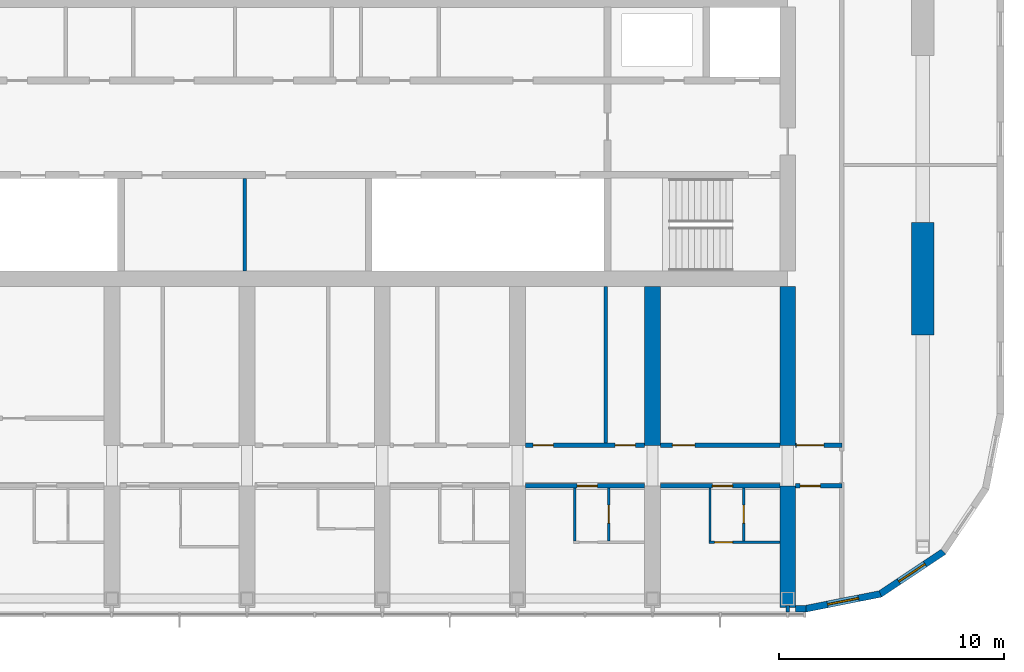
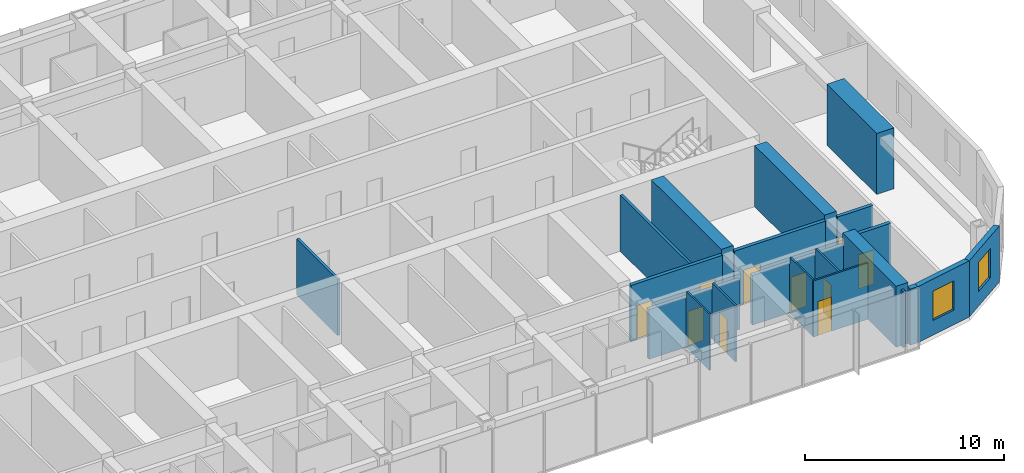
# One storey, part 13 of 23: 21 walls, 10 doors, 2 windows, 12 openings.
"""IFC4 building model written with IfcOpenShell, lengths in metres."""

from ifc_helpers import new_model, si_unit, direction, frame, frame_2d, origin, place, context, subcontext, project, spatial, polyline, rectangle, outline, extrude, material, layer, layer_set, type_object, element, fill, save


model = new_model("IFC4")

# Units and contexts
model_context = context("Model", 3, precision=1e-05, world=origin(), true_north=direction((0.0, 1.0)))
body_context = subcontext(model_context, "Body", "Model", "MODEL_VIEW")
ifc_project = project(units=[si_unit("LENGTHUNIT", "METRE"), si_unit("AREAUNIT", "SQUARE_METRE"), si_unit("VOLUMEUNIT", "CUBIC_METRE"), si_unit("PLANEANGLEUNIT", "RADIAN"), si_unit("MASSUNIT", "GRAM", prefix="KILO")], contexts=[model_context])

# Site, building, storey
site_placement = place(None, origin())
site = spatial("IfcSite", under=ifc_project, at=site_placement, CompositionType="ELEMENT")
building_placement = place(site_placement, origin())
building = spatial("IfcBuilding", under=site, at=building_placement, Name="Orbita Commons", CompositionType="ELEMENT")
storey_placement = place(building_placement, frame((0.0, 0.0, 254.050048828125)))
storey = spatial("IfcBuildingStorey", under=building, at=storey_placement, Name="L63", CompositionType="ELEMENT", Elevation=254.050048828125)

# Wall
ifc_material_1 = material(Name="Concrete blockwork", Category="masonry")
ifc_layer_1 = layer(ifc_material_1, 0.14990234375)
ifc_layer_set_1 = layer_set([ifc_layer_1], Name="Concrete blockwork")
wall_type_1 = type_object("IfcWallType", Name="Core partition 150 blockwork", PredefinedType="SOLIDWALL", material=ifc_layer_set_1)
wall_1_placement = place(storey_placement, frame((41.89990234375, 26.14990234375, 0.0), z_axis=(0.0, 0.0, 1.0), x_axis=(0.0, 1.0, 0.0)))
element("IfcWall", 1, at=wall_1_placement, inside=storey, type_object=wall_type_1, Name="Core partition 150 blockwork L63", PredefinedType="SOLIDWALL", context=body_context, shape_type="SweptSolid", body=[
    extrude(rectangle(XDim=4.10009765625, YDim=0.14990234375, at=frame_2d((2.050048828125, 0.0))), origin(), (0.0, 0.0, 1.0), 3.449951171875),
])

# Wall, opening, door
ifc_material_2 = material(Name="Concrete blockwork", Category="masonry")
ifc_layer_2 = layer(ifc_material_2, 0.199951171875)
ifc_layer_set_2 = layer_set([ifc_layer_2], Name="Concrete blockwork")
wall_type_2 = type_object("IfcWallType", Name="Corridor wall 200 blockwork", PredefinedType="SOLIDWALL", material=ifc_layer_set_2)
wall_2_placement = place(storey_placement, frame((54.35009765625, 16.60009765625, 0.0), z_axis=(0.0, 0.0, 1.0), x_axis=(1.0, 0.0, 0.0)))
wall_2 = element("IfcWall", 2, at=wall_2_placement, inside=storey, type_object=wall_type_2, Name="Corridor wall 200 blockwork L63", PredefinedType="SOLIDWALL", context=body_context, shape_type="SweptSolid", body=[
    extrude(outline(polyline([(0.0, 0.0), (5.2998046875, 0.0), (5.300048828125, 3.050048828125), (0.0, 3.050048828125), (0.0, 0.0)])), frame((0.0, 0.10009765625, 0.0), z_axis=(0.0, -1.0, 0.0), x_axis=(1.0, 0.0, 0.0)), (0.0, 0.0, 1.0), 0.199951171875),
])
opening_1_placement = place(wall_2_placement, frame((2.300048828125, 0.0, 0.0)))
opening_1 = element("IfcOpeningElement", 3, at=opening_1_placement, cuts=wall_2, Name="Opening D11", PredefinedType="OPENING", context=body_context, shape_type="SweptSolid", body=[
    extrude(rectangle(XDim=0.89990234375, YDim=2.10009765625, at=frame_2d((0.449951171875, 1.050048828125))), frame((0.0, 0.10986328125, 0.0), z_axis=(0.0, -1.0, 0.0), x_axis=(1.0, 0.0, 0.0)), (0.0, 0.0, 1.0), 0.219970703125),
])
ifc_material_3 = material(Name="Steel-faced fire door leaf", Category="steel")
door_type_1 = type_object("IfcDoorType", Name="Corridor door 20 min 900x2100", OperationType="SINGLE_SWING_LEFT", PredefinedType="DOOR", material=ifc_material_3)
door_1_placement = place(opening_1_placement, origin())
door_1 = element("IfcDoor", 4, at=door_1_placement, inside=storey, type_object=door_type_1, Name="Studio flat L63-S12 entrance door", OperationType="SINGLE_SWING_LEFT", OverallHeight=2.10009765625, OverallWidth=0.89990234375, PredefinedType="DOOR", context=body_context, shape_type="SweptSolid", body=[
    extrude(rectangle(XDim=0.89990234375, YDim=2.10009765625, at=frame_2d((0.449951171875, 1.050048828125))), frame((0.0, 0.02490234375, 0.0), z_axis=(0.0, -1.0, 0.0), x_axis=(1.0, 0.0, 0.0)), (0.0, 0.0, 1.0), 0.050048828125),
])
fill(opening_1, door_1)

wall_3_placement = place(storey_placement, frame((60.35009765625, 16.60009765625, 0.0), z_axis=(0.0, 0.0, 1.0), x_axis=(1.0, 0.0, 0.0)))
wall_3 = element("IfcWall", 5, at=wall_3_placement, inside=storey, type_object=wall_type_2, Name="Corridor wall 200 blockwork L63", PredefinedType="SOLIDWALL", context=body_context, shape_type="SweptSolid", body=[
    extrude(outline(polyline([(0.0, 0.0), (5.2998046875, 0.0), (5.300048828125, 3.050048828125), (0.0, 3.050048828125), (0.0, 0.0)])), frame((0.0, 0.10009765625, 0.0), z_axis=(0.0, -1.0, 0.0), x_axis=(1.0, 0.0, 0.0)), (0.0, 0.0, 1.0), 0.199951171875),
])
opening_2_placement = place(wall_3_placement, frame((2.300048828125, 0.0, 0.0)))
opening_2 = element("IfcOpeningElement", 6, at=opening_2_placement, cuts=wall_3, Name="Opening D11", PredefinedType="OPENING", context=body_context, shape_type="SweptSolid", body=[
    extrude(rectangle(XDim=0.89990234375, YDim=2.10009765625, at=frame_2d((0.449951171875, 1.050048828125))), frame((0.0, 0.10986328125, 0.0), z_axis=(0.0, -1.0, 0.0), x_axis=(1.0, 0.0, 0.0)), (0.0, 0.0, 1.0), 0.219970703125),
])
door_2_placement = place(opening_2_placement, origin())
door_2 = element("IfcDoor", 7, at=door_2_placement, inside=storey, type_object=door_type_1, Name="Studio flat L63-S14 entrance door", OperationType="SINGLE_SWING_LEFT", OverallHeight=2.10009765625, OverallWidth=0.89990234375, PredefinedType="DOOR", context=body_context, shape_type="SweptSolid", body=[
    extrude(rectangle(XDim=0.89990234375, YDim=2.10009765625, at=frame_2d((0.449951171875, 1.050048828125))), frame((0.0, 0.02490234375, 0.0), z_axis=(0.0, -1.0, 0.0), x_axis=(1.0, 0.0, 0.0)), (0.0, 0.0, 1.0), 0.050048828125),
])
fill(opening_2, door_2)

wall_4_placement = place(storey_placement, frame((66.35009765625, 16.60009765625, 0.0), z_axis=(0.0, 0.0, 1.0), x_axis=(1.0, 0.0, 0.0)))
wall_4 = element("IfcWall", 8, at=wall_4_placement, inside=storey, type_object=wall_type_2, Name="Corridor wall 200 blockwork L63", PredefinedType="SOLIDWALL", context=body_context, shape_type="SweptSolid", body=[
    extrude(rectangle(XDim=2.0498046875, YDim=0.199951171875, at=frame_2d((1.02490234375, 0.0))), origin(), (0.0, 0.0, 1.0), 3.449951171875),
])
opening_3_placement = place(wall_4_placement, frame((0.199951171875, 0.0, 0.0)))
opening_3 = element("IfcOpeningElement", 9, at=opening_3_placement, cuts=wall_4, Name="Opening D05", PredefinedType="OPENING", context=body_context, shape_type="SweptSolid", body=[
    extrude(rectangle(XDim=0.89990234375, YDim=2.10009765625, at=frame_2d((0.449951171875, 1.050048828125))), frame((0.0, 0.10986328125, 0.0), z_axis=(0.0, -1.0, 0.0), x_axis=(1.0, 0.0, 0.0)), (0.0, 0.0, 1.0), 0.219970703125),
])
ifc_material_4 = material(Name="Steel-faced fire door leaf", Category="steel")
door_type_2 = type_object("IfcDoorType", Name="Service door 20 min 900x2100", OperationType="SINGLE_SWING_LEFT", PredefinedType="DOOR", material=ifc_material_4)
door_3_placement = place(opening_3_placement, origin())
door_3 = element("IfcDoor", 10, at=door_3_placement, inside=storey, type_object=door_type_2, Name="Linen store L63-KES door", OperationType="SINGLE_SWING_LEFT", OverallHeight=2.10009765625, OverallWidth=0.89990234375, PredefinedType="DOOR", context=body_context, shape_type="SweptSolid", body=[
    extrude(rectangle(XDim=0.89990234375, YDim=2.10009765625, at=frame_2d((0.449951171875, 1.050048828125))), frame((0.0, 0.02490234375, 0.0), z_axis=(0.0, -1.0, 0.0), x_axis=(1.0, 0.0, 0.0)), (0.0, 0.0, 1.0), 0.050048828125),
])
fill(opening_3, door_3)

# Wall, openings, doors
ifc_material_5 = material(Name="Hollow concrete block 200", Category="concrete")
ifc_layer_3 = layer(ifc_material_5, 0.199951171875)
ifc_layer_set_3 = layer_set([ifc_layer_3], Name="Hollow concrete block 200")
wall_type_3 = type_object("IfcWallType", Name="Corridor wall 200 hollow concrete block", PredefinedType="SOLIDWALL", material=ifc_layer_set_3)
wall_5_placement = place(storey_placement, frame((54.35009765625, 18.39990234375, 0.0), z_axis=(0.0, 0.0, 1.0), x_axis=(1.0, 0.0, 0.0)))
wall_5 = element("IfcWall", 11, at=wall_5_placement, inside=storey, type_object=wall_type_3, Name="Corridor wall 200 hollow concrete block L63", PredefinedType="SOLIDWALL", context=body_context, shape_type="SweptSolid", body=[
    extrude(rectangle(XDim=5.2998046875, YDim=0.199951171875, at=frame_2d((2.64990234375, 0.0))), origin(), (0.0, 0.0, 1.0), 3.449951171875),
])
opening_4_placement = place(wall_5_placement, frame((0.35009765625, 0.0, 0.0)))
opening_4 = element("IfcOpeningElement", 12, at=opening_4_placement, cuts=wall_5, Name="Opening D11", PredefinedType="OPENING", context=body_context, shape_type="SweptSolid", body=[
    extrude(rectangle(XDim=0.89990234375, YDim=2.10009765625, at=frame_2d((0.449951171875, 1.050048828125))), frame((0.0, 0.10986328125, 0.0), z_axis=(0.0, -1.0, 0.0), x_axis=(1.0, 0.0, 0.0)), (0.0, 0.0, 1.0), 0.219970703125),
])
opening_5_placement = place(wall_5_placement, frame((3.989990234375, 0.0, 0.0)))
opening_5 = element("IfcOpeningElement", 13, at=opening_5_placement, cuts=wall_5, Name="Opening D11", PredefinedType="OPENING", context=body_context, shape_type="SweptSolid", body=[
    extrude(rectangle(XDim=0.89990234375, YDim=2.10009765625, at=frame_2d((0.449951171875, 1.050048828125))), frame((0.0, 0.10986328125, 0.0), z_axis=(0.0, -1.0, 0.0), x_axis=(1.0, 0.0, 0.0)), (0.0, 0.0, 1.0), 0.219970703125),
])
door_4_placement = place(opening_4_placement, origin())
door_4 = element("IfcDoor", 14, at=door_4_placement, inside=storey, type_object=door_type_1, Name="Faculty pantry L63-BDS54 door", OperationType="SINGLE_SWING_LEFT", OverallHeight=2.10009765625, OverallWidth=0.89990234375, PredefinedType="DOOR", context=body_context, shape_type="SweptSolid", body=[
    extrude(rectangle(XDim=0.89990234375, YDim=2.10009765625, at=frame_2d((0.449951171875, 1.050048828125))), frame((0.0, 0.02490234375, 0.0), z_axis=(0.0, -1.0, 0.0), x_axis=(1.0, 0.0, 0.0)), (0.0, 0.0, 1.0), 0.050048828125),
])
fill(opening_4, door_4)
door_5_placement = place(opening_5_placement, origin())
door_5 = element("IfcDoor", 15, at=door_5_placement, inside=storey, type_object=door_type_1, Name="Equipment store L63-BDS54n door", OperationType="SINGLE_SWING_LEFT", OverallHeight=2.10009765625, OverallWidth=0.89990234375, PredefinedType="DOOR", context=body_context, shape_type="SweptSolid", body=[
    extrude(rectangle(XDim=0.89990234375, YDim=2.10009765625, at=frame_2d((0.449951171875, 1.050048828125))), frame((0.0, 0.02490234375, 0.0), z_axis=(0.0, -1.0, 0.0), x_axis=(1.0, 0.0, 0.0)), (0.0, 0.0, 1.0), 0.050048828125),
])
fill(opening_5, door_5)

# Wall, opening, door
wall_6_placement = place(storey_placement, frame((60.35009765625, 18.39990234375, 0.0), z_axis=(0.0, 0.0, 1.0), x_axis=(1.0, 0.0, 0.0)))
wall_6 = element("IfcWall", 16, at=wall_6_placement, inside=storey, type_object=wall_type_3, Name="Corridor wall 200 hollow concrete block L63", PredefinedType="SOLIDWALL", context=body_context, shape_type="SweptSolid", body=[
    extrude(rectangle(XDim=5.2998046875, YDim=0.199951171875, at=frame_2d((2.64990234375, 0.0))), origin(), (0.0, 0.0, 1.0), 3.449951171875),
])
opening_6_placement = place(wall_6_placement, frame((0.52490234375, 0.0, 0.0)))
opening_6 = element("IfcOpeningElement", 17, at=opening_6_placement, cuts=wall_6, Name="Opening D06", PredefinedType="OPENING", context=body_context, shape_type="SweptSolid", body=[
    extrude(rectangle(XDim=1.0, YDim=2.10009765625, at=frame_2d((0.5, 1.050048828125))), frame((0.0, 0.10986328125, 0.0), z_axis=(0.0, -1.0, 0.0), x_axis=(1.0, 0.0, 0.0)), (0.0, 0.0, 1.0), 0.219970703125),
])
ifc_material_6 = material(Name="Steel-faced fire door leaf", Category="steel")
door_type_3 = type_object("IfcDoorType", Name="Corridor door 20 min 1000x2100", OperationType="SINGLE_SWING_LEFT", PredefinedType="DOOR", material=ifc_material_6)
door_6_placement = place(opening_6_placement, origin())
door_6 = element("IfcDoor", 18, at=door_6_placement, inside=storey, type_object=door_type_3, Name="Parcel and post room L63-BDS60 door", OperationType="SINGLE_SWING_LEFT", OverallHeight=2.10009765625, OverallWidth=1.0, PredefinedType="DOOR", context=body_context, shape_type="SweptSolid", body=[
    extrude(rectangle(XDim=1.0, YDim=2.10009765625, at=frame_2d((0.5, 1.050048828125))), frame((0.0, 0.02490234375, 0.0), z_axis=(0.0, -1.0, 0.0), x_axis=(1.0, 0.0, 0.0)), (0.0, 0.0, 1.0), 0.050048828125),
])
fill(opening_6, door_6)

wall_7_placement = place(storey_placement, frame((66.35009765625, 18.39990234375, 0.0), z_axis=(0.0, 0.0, 1.0), x_axis=(1.0, 0.0, 0.0)))
wall_7 = element("IfcWall", 19, at=wall_7_placement, inside=storey, type_object=wall_type_3, Name="Corridor wall 200 hollow concrete block L63", PredefinedType="SOLIDWALL", context=body_context, shape_type="SweptSolid", body=[
    extrude(rectangle(XDim=2.0498046875, YDim=0.199951171875, at=frame_2d((1.02490234375, 0.0))), origin(), (0.0, 0.0, 1.0), 3.449951171875),
])
opening_7_placement = place(wall_7_placement, frame((0.050048828125, 0.0, 0.0)))
opening_7 = element("IfcOpeningElement", 20, at=opening_7_placement, cuts=wall_7, Name="Opening D12", PredefinedType="OPENING", context=body_context, shape_type="SweptSolid", body=[
    extrude(rectangle(XDim=1.199951171875, YDim=2.10009765625, at=frame_2d((0.60009765625, 1.050048828125))), frame((0.0, 0.10986328125, 0.0), z_axis=(0.0, -1.0, 0.0), x_axis=(1.0, 0.0, 0.0)), (0.0, 0.0, 1.0), 0.219970703125),
])
ifc_material_7 = material(Name="Steel-faced fire door leaf", Category="steel")
door_type_4 = type_object("IfcDoorType", Name="Double corridor door 20 min 1200x2100", OperationType="DOUBLE_DOOR_SINGLE_SWING", PredefinedType="DOOR", material=ifc_material_7)
door_7_placement = place(opening_7_placement, origin())
door_7 = element("IfcDoor", 21, at=door_7_placement, inside=storey, type_object=door_type_4, Name="Cross corridor doors", OperationType="DOUBLE_DOOR_SINGLE_SWING", OverallHeight=2.10009765625, OverallWidth=1.199951171875, PredefinedType="DOOR", context=body_context, shape_type="SweptSolid", body=[
    extrude(rectangle(XDim=1.199951171875, YDim=2.10009765625, at=frame_2d((0.60009765625, 1.050048828125))), frame((0.0, 0.02490234375, 0.0), z_axis=(0.0, -1.0, 0.0), x_axis=(1.0, 0.0, 0.0)), (0.0, 0.0, 1.0), 0.050048828125),
])
fill(opening_7, door_7)

# Walls
ifc_material_8 = material(Name="Concrete C50/60", Category="concrete")
ifc_layer_4 = layer(ifc_material_8, 0.699951171875)
ifc_layer_set_4 = layer_set([ifc_layer_4], Name="Concrete C50/60")
wall_type_4 = type_object("IfcWallType", Name="Cross wall 700 C50/60", PredefinedType="SHEAR", material=ifc_layer_set_4)
wall_8_placement = place(storey_placement, frame((60.0, 18.39990234375, 0.0), z_axis=(0.0, 0.0, 1.0), x_axis=(0.0, 1.0, 0.0)))
element("IfcWall", 22, at=wall_8_placement, inside=storey, type_object=wall_type_4, Name="Cross wall 11 south inner L63", PredefinedType="SHEAR", context=body_context, shape_type="SweptSolid", body=[
    extrude(rectangle(XDim=7.050048828125, YDim=0.699951171875, at=frame_2d((3.52490234375, 0.0))), origin(), (0.0, 0.0, 1.0), 3.75),
])
wall_9_placement = place(storey_placement, frame((66.0, 11.199951171875, 0.0), z_axis=(0.0, 0.0, 1.0), x_axis=(0.0, 1.0, 0.0)))
element("IfcWall", 23, at=wall_9_placement, inside=storey, type_object=wall_type_4, Name="Cross wall 12 south outer L63", PredefinedType="SHEAR", context=body_context, shape_type="SweptSolid", body=[
    extrude(rectangle(XDim=5.400146484375, YDim=0.699951171875, at=frame_2d((2.7001953125, 0.0))), origin(), (0.0, 0.0, 1.0), 3.75),
])
wall_10_placement = place(storey_placement, frame((66.0, 18.39990234375, 0.0), z_axis=(0.0, 0.0, 1.0), x_axis=(0.0, 1.0, 0.0)))
element("IfcWall", 24, at=wall_10_placement, inside=storey, type_object=wall_type_4, Name="Cross wall 12 south inner L63", PredefinedType="SHEAR", context=body_context, shape_type="SweptSolid", body=[
    extrude(rectangle(XDim=7.050048828125, YDim=0.699951171875, at=frame_2d((3.52490234375, 0.0))), origin(), (0.0, 0.0, 1.0), 3.75),
])
ifc_material_9 = material(Name="Moisture-resistant plasterboard on steel studs", Category="steel")
ifc_layer_5 = layer(ifc_material_9, 0.10009765625)
ifc_layer_set_5 = layer_set([ifc_layer_5], Name="Moisture-resistant plasterboard on steel studs")
wall_type_5 = type_object("IfcWallType", Name="En-suite partition 100", PredefinedType="PARTITIONING", material=ifc_layer_set_5)
wall_11_placement = place(storey_placement, frame((56.550048828125, 14.14990234375, 0.0), z_axis=(0.0, 0.0, 1.0), x_axis=(0.0, 1.0, 0.0)))
element("IfcWall", 25, at=wall_11_placement, inside=storey, type_object=wall_type_5, Name="En-suite partition 100 L63", PredefinedType="PARTITIONING", context=body_context, shape_type="SweptSolid", body=[
    extrude(outline(polyline([(0.0, 0.0), (2.35009765625, 0.0), (2.35009765625, 3.050048828125), (2.302001953125, 3.050048828125), (2.300048828125, 3.449951171875), (0.0, 3.449951171875), (0.0, 0.0)])), frame((0.0, 0.050048828125, 0.0), z_axis=(0.0, -1.0, 0.0), x_axis=(1.0, 0.0, 0.0)), (0.0, 0.0, 1.0), 0.10009765625),
])

# Wall, opening, door
wall_12_placement = place(storey_placement, frame((58.050048828125, 14.14990234375, 0.0), z_axis=(0.0, 0.0, 1.0), x_axis=(0.0, 1.0, 0.0)))
wall_12 = element("IfcWall", 26, at=wall_12_placement, inside=storey, type_object=wall_type_5, Name="En-suite partition 100 L63", PredefinedType="PARTITIONING", context=body_context, shape_type="SweptSolid", body=[
    extrude(outline(polyline([(0.0, 0.0), (2.35009765625, 0.0), (2.35009765625, 3.050048828125), (2.302001953125, 3.050048828125), (2.300048828125, 3.449951171875), (0.0, 3.449951171875), (0.0, 0.0)])), frame((0.0, 0.050048828125, 0.0), z_axis=(0.0, -1.0, 0.0), x_axis=(1.0, 0.0, 0.0)), (0.0, 0.0, 1.0), 0.10009765625),
])
opening_8_placement = place(wall_12_placement, frame((0.800048828125, 0.0, 0.0)))
opening_8 = element("IfcOpeningElement", 27, at=opening_8_placement, cuts=wall_12, Name="Opening D16", PredefinedType="OPENING", context=body_context, shape_type="SweptSolid", body=[
    extrude(rectangle(XDim=0.800048828125, YDim=2.10009765625, at=frame_2d((0.39990234375, 1.050048828125))), frame((0.0, 0.06005859375, 0.0), z_axis=(0.0, -1.0, 0.0), x_axis=(1.0, 0.0, 0.0)), (0.0, 0.0, 1.0), 0.1201171875),
])
ifc_material_10 = material(Name="Laminated timber door leaf", Category="wood")
door_type_5 = type_object("IfcDoorType", Name="En-suite door 800x2100", OperationType="SINGLE_SWING_RIGHT", PredefinedType="DOOR", material=ifc_material_10)
door_8_placement = place(opening_8_placement, origin())
door_8 = element("IfcDoor", 28, at=door_8_placement, inside=storey, type_object=door_type_5, Name="Studio flat shower room L63-S12 door", OperationType="SINGLE_SWING_RIGHT", OverallHeight=2.10009765625, OverallWidth=0.800048828125, PredefinedType="DOOR", context=body_context, shape_type="SweptSolid", body=[
    extrude(rectangle(XDim=0.800048828125, YDim=2.10009765625, at=frame_2d((0.39990234375, 1.050048828125))), frame((0.0, 0.02490234375, 0.0), z_axis=(0.0, -1.0, 0.0), x_axis=(1.0, 0.0, 0.0)), (0.0, 0.0, 1.0), 0.050048828125),
])
fill(opening_8, door_8)

wall_13_placement = place(storey_placement, frame((65.64990234375, 14.10009765625, 0.0), z_axis=(0.0, 0.0, 1.0), x_axis=(-1.0, 0.0, 0.0)))
wall_13 = element("IfcWall", 29, at=wall_13_placement, inside=storey, type_object=wall_type_5, Name="En-suite partition 100 L63", PredefinedType="PARTITIONING", context=body_context, shape_type="SweptSolid", body=[
    extrude(rectangle(XDim=3.14990234375, YDim=0.10009765625, at=frame_2d((1.574951171875, 0.0))), origin(), (0.0, 0.0, 1.0), 3.449951171875),
])
opening_9_placement = place(wall_13_placement, frame((2.10009765625, 0.0, 0.0)))
opening_9 = element("IfcOpeningElement", 30, at=opening_9_placement, cuts=wall_13, Name="Opening D16", PredefinedType="OPENING", context=body_context, shape_type="SweptSolid", body=[
    extrude(rectangle(XDim=0.800048828125, YDim=2.10009765625, at=frame_2d((0.39990234375, 1.050048828125))), frame((0.0, 0.06005859375, 0.0), z_axis=(0.0, -1.0, 0.0), x_axis=(1.0, 0.0, 0.0)), (0.0, 0.0, 1.0), 0.1201171875),
])
door_9_placement = place(opening_9_placement, origin())
door_9 = element("IfcDoor", 31, at=door_9_placement, inside=storey, type_object=door_type_5, Name="Studio flat L63-S14 door", OperationType="SINGLE_SWING_RIGHT", OverallHeight=2.10009765625, OverallWidth=0.800048828125, PredefinedType="DOOR", context=body_context, shape_type="SweptSolid", body=[
    extrude(rectangle(XDim=0.800048828125, YDim=2.10009765625, at=frame_2d((0.39990234375, 1.050048828125))), frame((0.0, 0.02490234375, 0.0), z_axis=(0.0, -1.0, 0.0), x_axis=(1.0, 0.0, 0.0)), (0.0, 0.0, 1.0), 0.050048828125),
])
fill(opening_9, door_9)

# Wall
wall_14_placement = place(storey_placement, frame((62.550048828125, 14.14990234375, 0.0), z_axis=(0.0, 0.0, 1.0), x_axis=(0.0, 1.0, 0.0)))
element("IfcWall", 32, at=wall_14_placement, inside=storey, type_object=wall_type_5, Name="En-suite partition 100 L63", PredefinedType="PARTITIONING", context=body_context, shape_type="SweptSolid", body=[
    extrude(outline(polyline([(0.0, 0.0), (2.35009765625, 0.0), (2.35009765625, 3.050048828125), (2.302001953125, 3.050048828125), (2.300048828125, 3.449951171875), (0.0, 3.449951171875), (0.0, 0.0)])), frame((0.0, 0.050048828125, 0.0), z_axis=(0.0, -1.0, 0.0), x_axis=(1.0, 0.0, 0.0)), (0.0, 0.0, 1.0), 0.10009765625),
])

# Wall, opening, door
wall_15_placement = place(storey_placement, frame((64.050048828125, 14.14990234375, 0.0), z_axis=(0.0, 0.0, 1.0), x_axis=(0.0, 1.0, 0.0)))
wall_15 = element("IfcWall", 33, at=wall_15_placement, inside=storey, type_object=wall_type_5, Name="En-suite partition 100 L63", PredefinedType="PARTITIONING", context=body_context, shape_type="SweptSolid", body=[
    extrude(outline(polyline([(0.0, 0.0), (2.35009765625, 0.0), (2.35009765625, 3.050048828125), (2.302001953125, 3.050048828125), (2.300048828125, 3.449951171875), (0.0, 3.449951171875), (0.0, 0.0)])), frame((0.0, 0.050048828125, 0.0), z_axis=(0.0, -1.0, 0.0), x_axis=(1.0, 0.0, 0.0)), (0.0, 0.0, 1.0), 0.10009765625),
])
opening_10_placement = place(wall_15_placement, frame((0.800048828125, 0.0, 0.0)))
opening_10 = element("IfcOpeningElement", 34, at=opening_10_placement, cuts=wall_15, Name="Opening D16", PredefinedType="OPENING", context=body_context, shape_type="SweptSolid", body=[
    extrude(rectangle(XDim=0.800048828125, YDim=2.10009765625, at=frame_2d((0.39990234375, 1.050048828125))), frame((0.0, 0.06005859375, 0.0), z_axis=(0.0, -1.0, 0.0), x_axis=(1.0, 0.0, 0.0)), (0.0, 0.0, 1.0), 0.1201171875),
])
door_10_placement = place(opening_10_placement, origin())
door_10 = element("IfcDoor", 35, at=door_10_placement, inside=storey, type_object=door_type_5, Name="Studio flat shower room L63-S14 door", OperationType="SINGLE_SWING_RIGHT", OverallHeight=2.10009765625, OverallWidth=0.800048828125, PredefinedType="DOOR", context=body_context, shape_type="SweptSolid", body=[
    extrude(rectangle(XDim=0.800048828125, YDim=2.10009765625, at=frame_2d((0.39990234375, 1.050048828125))), frame((0.0, 0.02490234375, 0.0), z_axis=(0.0, -1.0, 0.0), x_axis=(1.0, 0.0, 0.0)), (0.0, 0.0, 1.0), 0.050048828125),
])
fill(opening_10, door_10)

# Walls
ifc_material_11 = material(Name="Concrete C50/60", Category="concrete")
ifc_layer_6 = layer(ifc_material_11, 1.0)
ifc_layer_set_6 = layer_set([ifc_layer_6], Name="Concrete C50/60")
wall_type_6 = type_object("IfcWallType", Name="End pier 1000x5000 C50/60", PredefinedType="SHEAR", material=ifc_layer_set_6)
wall_16_placement = place(storey_placement, frame((72.0, 23.300048828125, 0.0), z_axis=(0.0, 0.0, 1.0), x_axis=(0.0, 1.0, 0.0)))
element("IfcWall", 36, at=wall_16_placement, inside=storey, type_object=wall_type_6, Name="End pier 13/C L63", PredefinedType="SHEAR", context=body_context, shape_type="SweptSolid", body=[
    extrude(rectangle(XDim=5.0, YDim=1.0, at=frame_2d((2.5, 0.0))), origin(), (0.0, 0.0, 1.0), 3.75),
])
ifc_material_12 = material(Name="Gypsum plasterboard on steel studs", Category="steel")
ifc_layer_7 = layer(ifc_material_12, 0.14990234375)
ifc_layer_set_7 = layer_set([ifc_layer_7], Name="Gypsum plasterboard on steel studs")
wall_type_7 = type_object("IfcWallType", Name="Partition 150 plasterboard", PredefinedType="PARTITIONING", material=ifc_layer_set_7)
wall_17_placement = place(storey_placement, frame((57.9150390625, 18.5, 0.0), z_axis=(0.0, 0.0, 1.0), x_axis=(0.0, 1.0, 0.0)))
element("IfcWall", 37, at=wall_17_placement, inside=storey, type_object=wall_type_7, Name="Partition 150 plasterboard L63", PredefinedType="PARTITIONING", context=body_context, shape_type="SweptSolid", body=[
    extrude(rectangle(XDim=6.949951171875, YDim=0.14990234375, at=frame_2d((3.47509765625, 0.0))), origin(), (0.0, 0.0, 1.0), 3.449951171875),
])
wall_18_placement = place(storey_placement, frame((66.0, 11.300048828125, 0.0), z_axis=(0.0, 0.0, 1.0), x_axis=(0.0, -1.0, 0.0)))
element("IfcWall", 38, at=wall_18_placement, inside=storey, type_object=wall_type_7, Name="Partition 150 plasterboard L63", PredefinedType="PARTITIONING", context=body_context, shape_type="SweptSolid", body=[
    extrude(rectangle(XDim=0.2900390625, YDim=0.14990234375, at=frame_2d((0.14501953125, 0.0))), origin(), (0.0, 0.0, 1.0), 3.449951171875),
])

# Wall, opening, window
ifc_material_13 = material(Name="Precast concrete C40/50, white board-marked finish", Category="concrete")
ifc_layer_8 = layer(ifc_material_13, 0.300048828125)
ifc_layer_set_8 = layer_set([ifc_layer_8], Name="Precast concrete C40/50, white board-marked finish")
wall_type_8 = type_object("IfcWallType", Name="Precast concrete end shield 300", PredefinedType="SOLIDWALL", material=ifc_layer_set_8)
wall_19_placement = place(storey_placement, frame((66.800048828125, 11.14990234375, 0.0), z_axis=(0.0, 0.0, 1.0), x_axis=(0.98078325777, 0.195100490205, 0.0)))
wall_19 = element("IfcWall", 39, at=wall_19_placement, inside=storey, type_object=wall_type_8, Name="End shield SE chord 1 L63", PredefinedType="SOLIDWALL", context=body_context, shape_type="SweptSolid", body=[
    extrude(outline(polyline([(-0.02978515625, -0.14990234375), (3.40478515625, -0.14990234375), (3.34521484375, 0.14990234375), (0.02978515625, 0.14990234375), (-0.02978515625, -0.14990234375)])), origin(), (0.0, 0.0, 1.0), 3.449951171875),
])
opening_11_placement = place(wall_19_placement, frame((0.987548828125, 0.0, 0.89990234375)))
opening_11 = element("IfcOpeningElement", 40, at=opening_11_placement, cuts=wall_19, Name="Opening W02", PredefinedType="OPENING", context=body_context, shape_type="SweptSolid", body=[
    extrude(rectangle(XDim=1.39990234375, YDim=1.800048828125, at=frame_2d((0.699951171875, 0.89990234375))), frame((0.0, 0.159912109375, 0.0), z_axis=(0.0, -1.0, 0.0), x_axis=(1.0, 0.0, 0.0)), (0.0, 0.0, 1.0), 0.320068359375),
])
ifc_material_14 = material(Name="Aluminium frame, clear double glazing", Category="aluminium")
window_type = type_object("IfcWindowType", Name="Deep-set window 1400x1800", PartitioningType="SINGLE_PANEL", PredefinedType="WINDOW", material=ifc_material_14)
window_1_placement = place(opening_11_placement, origin())
window_1 = element("IfcWindow", 41, at=window_1_placement, inside=storey, type_object=window_type, Name="Window L63-SE0", OverallHeight=1.800048828125, OverallWidth=1.39990234375, PartitioningType="SINGLE_PANEL", PredefinedType="WINDOW", context=body_context, shape_type="SweptSolid", body=[
    extrude(rectangle(XDim=1.39990234375, YDim=1.800048828125, at=frame_2d((0.699951171875, 0.89990234375))), frame((0.0, 0.030029296875, 0.0), z_axis=(0.0, -1.0, 0.0), x_axis=(1.0, 0.0, 0.0)), (0.0, 0.0, 1.0), 0.06005859375),
])
fill(opening_11, window_1)

wall_20_placement = place(storey_placement, frame((70.110107421875, 11.808349609375, 0.0), z_axis=(0.0, 0.0, 1.0), x_axis=(0.831460037396, 0.555584562613, 0.0)))
wall_20 = element("IfcWall", 42, at=wall_20_placement, inside=storey, type_object=wall_type_8, Name="End shield SE chord 2 L63", PredefinedType="SOLIDWALL", context=body_context, shape_type="SweptSolid", body=[
    extrude(outline(polyline([(-0.02978515625, -0.14990234375), (3.405029296875, -0.14990234375), (3.345458984375, 0.14990234375), (0.02978515625, 0.14990234375), (-0.02978515625, -0.14990234375)])), origin(), (0.0, 0.0, 1.0), 3.449951171875),
])
opening_12_placement = place(wall_20_placement, frame((0.987548828125, 0.0, 0.89990234375)))
opening_12 = element("IfcOpeningElement", 43, at=opening_12_placement, cuts=wall_20, Name="Opening W02", PredefinedType="OPENING", context=body_context, shape_type="SweptSolid", body=[
    extrude(rectangle(XDim=1.39990234375, YDim=1.800048828125, at=frame_2d((0.699951171875, 0.89990234375))), frame((0.0, 0.159912109375, 0.0), z_axis=(0.0, -1.0, 0.0), x_axis=(1.0, 0.0, 0.0)), (0.0, 0.0, 1.0), 0.320068359375),
])
window_2_placement = place(opening_12_placement, origin())
window_2 = element("IfcWindow", 44, at=window_2_placement, inside=storey, type_object=window_type, Name="Window L63-SE1", OverallHeight=1.800048828125, OverallWidth=1.39990234375, PartitioningType="SINGLE_PANEL", PredefinedType="WINDOW", context=body_context, shape_type="SweptSolid", body=[
    extrude(rectangle(XDim=1.39990234375, YDim=1.800048828125, at=frame_2d((0.699951171875, 0.89990234375))), frame((0.0, 0.030029296875, 0.0), z_axis=(0.0, -1.0, 0.0), x_axis=(1.0, 0.0, 0.0)), (0.0, 0.0, 1.0), 0.06005859375),
])
fill(opening_12, window_2)

# Wall
wall_21_placement = place(storey_placement, frame((66.800048828125, 11.14990234375, 0.0), z_axis=(0.0, 0.0, 1.0), x_axis=(-1.0, 0.0, 0.0)))
element("IfcWall", 45, at=wall_21_placement, inside=storey, type_object=wall_type_8, Name="End shield SE closer L63", PredefinedType="SOLIDWALL", context=body_context, shape_type="SweptSolid", body=[
    extrude(rectangle(XDim=0.449951171875, YDim=0.300048828125, at=frame_2d((0.22509765625, 0.0))), origin(), (0.0, 0.0, 1.0), 3.449951171875),
])

save(model, "model.ifc")
